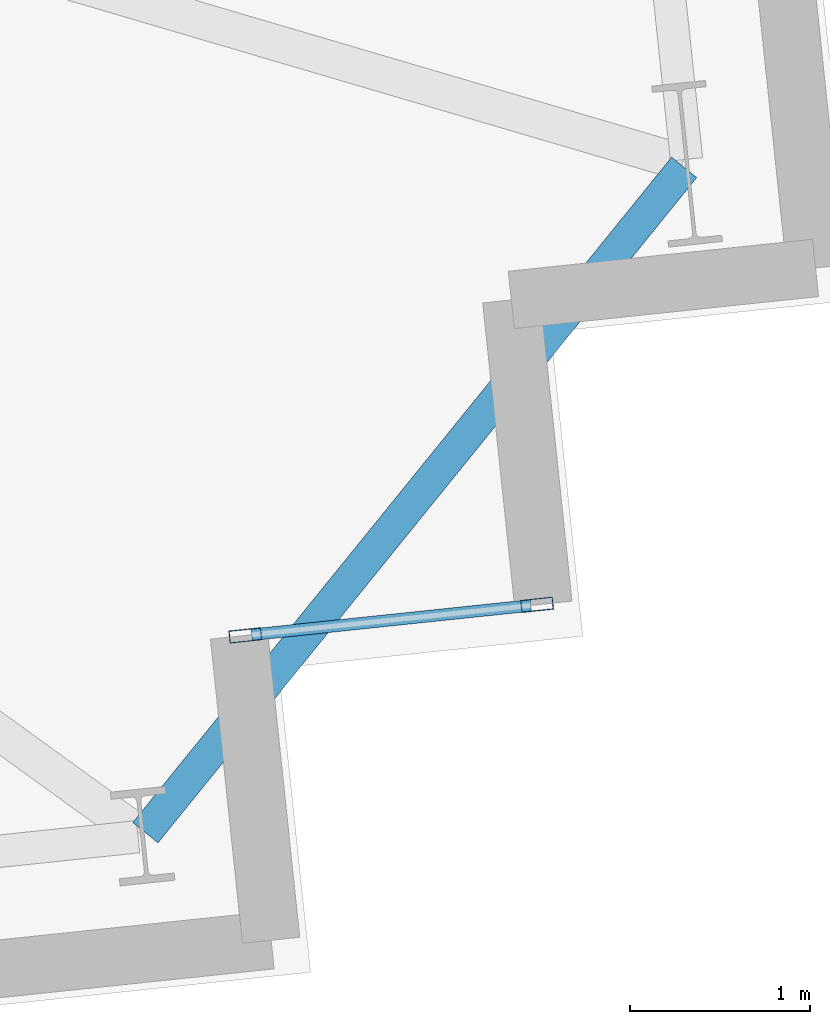
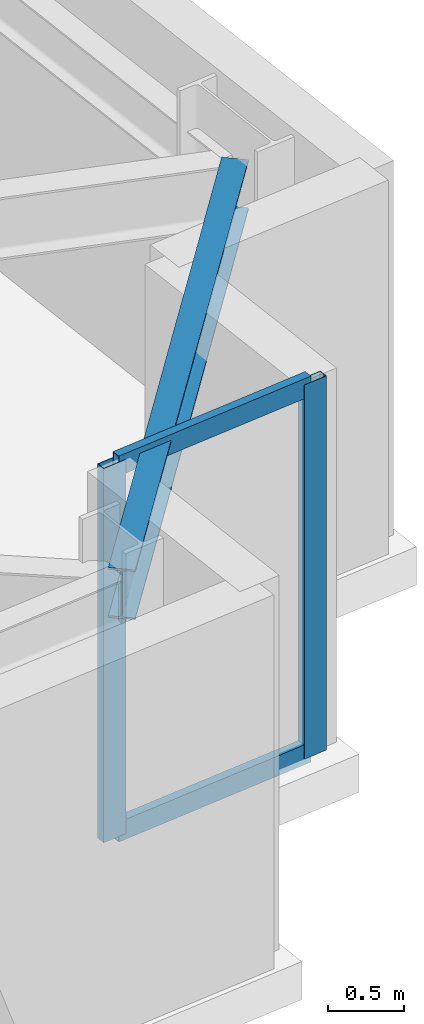
# One storey, part 6 of 19: 4 members, 1 beam, 1 element without a shape of its own.
"""IFC4 building model written with IfcOpenShell, lengths in metres."""

import ifcopenshell
import ifcopenshell.guid

model = None  # the IFC model being written
_history = None  # IfcOwnerHistory: only IFC2X3 demands one
_inside = {}  # id of a spatial element -> (the spatial element, [elements in it])
_under = {}  # id of a project, library or spatial element -> (it, [spatial elements below it])
_declared = {}  # id of a project -> (the project, [libraries it declares])
_typed = {}  # id of a type object -> (the type object, [elements of that type])
_made_of = {}  # id of a material, layer set ... -> (it, [elements and type objects made of it])


def new_model(schema):
    """Start an empty IFC model of exactly this schema.

    Asked for "IFC4X3", IfcOpenShell would pick the latest addendum, in which some entities
    have other attributes; the version numbers below select the first issue.
    IFC2X3 requires an IfcOwnerHistory on every rooted entity: one is made here for all.
    """
    global model, _history
    if schema == "IFC4X3":
        model = ifcopenshell.file(schema_version=(4, 3, 0, 0))
    else:
        model = ifcopenshell.file(schema=schema)
    _inside.clear()
    _under.clear()
    _declared.clear()
    _typed.clear()
    _made_of.clear()
    _history = None
    if model.schema == "IFC2X3":
        org = make("IfcOrganization", Name="unknown")
        user = make(
            "IfcPersonAndOrganization",
            ThePerson=make("IfcPerson", FamilyName="unknown"),
            TheOrganization=org,
        )
        app = make(
            "IfcApplication",
            ApplicationDeveloper=org,
            Version="unknown",
            ApplicationFullName="unknown",
            ApplicationIdentifier="unknown",
        )
        _history = make(
            "IfcOwnerHistory",
            OwningUser=user,
            OwningApplication=app,
            ChangeAction="ADDED",
            CreationDate=0,
        )
    return model


def make(cls, **values):
    """One entity of the class cls with the attributes given. An attribute that is None is left unset."""
    return model.create_entity(
        cls, **{name: value for name, value in values.items() if value is not None}
    )


def rooted(cls, **values):
    """An entity with a GlobalId (a new one), such as an element, a storey or a relation."""
    return make(cls, GlobalId=ifcopenshell.guid.new(), OwnerHistory=_history, **values)


def si_unit(unit_type, name, prefix=None):
    """IfcSIUnit, for example si_unit("LENGTHUNIT", "METRE", prefix="MILLI")."""
    return make("IfcSIUnit", UnitType=unit_type, Prefix=prefix, Name=name)


def assignment(units):
    """IfcUnitAssignment: the units of a project."""
    return None if units is None else make("IfcUnitAssignment", Units=units)


def point(xyz):
    """IfcCartesianPoint."""
    return None if xyz is None else make("IfcCartesianPoint", Coordinates=xyz)


def direction(xyz):
    """IfcDirection."""
    return None if xyz is None else make("IfcDirection", DirectionRatios=xyz)


def frame(location, z_axis=None, x_axis=None):
    """IfcAxis2Placement3D, a coordinate frame: its origin and axes. An axis left out is left unset."""
    return make(
        "IfcAxis2Placement3D",
        Location=point(location),
        Axis=direction(z_axis),
        RefDirection=direction(x_axis),
    )


def frame_2d(location, x_axis=None):
    """IfcAxis2Placement2D, a coordinate frame in the plane: its origin and x axis."""
    return make(
        "IfcAxis2Placement2D", Location=point(location), RefDirection=direction(x_axis)
    )


def origin():
    """The frame at (0, 0, 0) with its axes left unset."""
    return frame((0.0, 0.0, 0.0))


def origin_2d():
    """The frame at (0, 0) in the plane with its x axis left unset."""
    return frame_2d((0.0, 0.0))


def place(relative_to, where):
    """IfcLocalPlacement: puts the frame where relative to a parent placement (None: the world)."""
    return make(
        "IfcLocalPlacement", PlacementRelTo=relative_to, RelativePlacement=where
    )


def context(
    kind, dimensions, precision=None, world=None, true_north=None, identifier=None
):
    """IfcGeometricRepresentationContext, for example the 3D "Model" context."""
    return make(
        "IfcGeometricRepresentationContext",
        ContextIdentifier=identifier,
        ContextType=kind,
        CoordinateSpaceDimension=dimensions,
        Precision=precision,
        WorldCoordinateSystem=world,
        TrueNorth=true_north,
    )


def subcontext(parent, identifier, kind, view, scale=None):
    """IfcGeometricRepresentationSubContext, for example "Body" below "Model"."""
    return make(
        "IfcGeometricRepresentationSubContext",
        ContextIdentifier=identifier,
        ContextType=kind,
        ParentContext=parent,
        TargetScale=scale,
        TargetView=view,
    )


def project(units=None, contexts=None):
    """IfcProject with its units and contexts."""
    return rooted(
        "IfcProject",
        Name="project",
        RepresentationContexts=contexts,
        UnitsInContext=assignment(units),
    )


def spatial(cls, under=None, at=None, **own):
    """A site, building, storey or space (cls), placed at a placement, below another one or the project."""
    s = rooted(cls, ObjectPlacement=at, **own)
    if under is not None:
        _under.setdefault(under.id(), (under, []))[1].append(s)
    return s


def profile(cls, at=None, kind="AREA", **sizes):
    """A parametric profile (cls). Its sizes go by their IFC names, for example OverallWidth=200.0."""
    return make(cls, ProfileType=kind, Position=at, **sizes)


def hollow_rectangle(**sizes):
    """IfcRectangleHollowProfileDef."""
    return profile("IfcRectangleHollowProfileDef", **sizes)


def i_section(**sizes):
    """IfcIShapeProfileDef."""
    return profile("IfcIShapeProfileDef", **sizes)


def extrude(swept, where, along, depth):
    """IfcExtrudedAreaSolid: the profile swept, set in the frame where, extruded along a direction by depth."""
    return make(
        "IfcExtrudedAreaSolid",
        SweptArea=swept,
        Position=where,
        ExtrudedDirection=direction(along),
        Depth=depth,
    )


def shape(context_of_items, identifier, shape_type, items):
    """IfcShapeRepresentation: the items that make up one representation, for example the "Body"."""
    return make(
        "IfcShapeRepresentation",
        ContextOfItems=context_of_items,
        RepresentationIdentifier=identifier,
        RepresentationType=shape_type,
        Items=items,
    )


def material(Name=None, Category=None):
    """IfcMaterial."""
    return make("IfcMaterial", Name=Name, Category=Category)


def layer(
    of_material, thickness, ventilated=None, Name=None, Category=None, Priority=None
):
    """IfcMaterialLayer: one layer of a wall or slab, of a material (None: an air gap)."""
    return make(
        "IfcMaterialLayer",
        Material=of_material,
        LayerThickness=thickness,
        IsVentilated=ventilated,
        Name=Name,
        Category=Category,
        Priority=Priority,
    )


def layer_set(layers, Name=None):
    """IfcMaterialLayerSet."""
    return make("IfcMaterialLayerSet", MaterialLayers=layers, LayerSetName=Name)


def material_profile(
    of_material, cross_section, Name=None, Category=None, Priority=None
):
    """IfcMaterialProfile: a cross section and its material."""
    return make(
        "IfcMaterialProfile",
        Name=Name,
        Material=of_material,
        Profile=cross_section,
        Priority=Priority,
        Category=Category,
    )


def profile_set(profiles, Name=None, composite=None):
    """IfcMaterialProfileSet."""
    return make(
        "IfcMaterialProfileSet",
        Name=Name,
        MaterialProfiles=profiles,
        CompositeProfile=composite,
    )


def made_of(thing, what):
    """Note that an element or type object is made of a material, layer set ...; save() writes the relation."""
    if what is not None:
        _made_of.setdefault(what.id(), (what, []))[1].append(thing)
    return thing


def type_object(cls, material=None, **own):
    """A type object (cls), such as IfcWallType, which elements share."""
    return made_of(rooted(cls, **own), material)


def element(
    cls,
    number,
    at=None,
    inside=None,
    cuts=None,
    type_object=None,
    material=None,
    context=None,
    identifier="Body",
    shape_type=None,
    held_by="IfcProductDefinitionShape",
    body=None,
    shapes=None,
    **own,
):
    """One element of the class cls, such as IfcWall. Its Tag is "e" and its number.

    at: its placement. inside: the storey or other place that contains it. cuts: it is an
    opening in that element (IfcRelVoidsElement). A single representation is given by context,
    identifier, shape_type and body (its items); several are given by shapes. held_by: the class
    of the entity that holds the representations. save() writes the other relations.
    """
    e = rooted(cls, Tag="e%d" % number, ObjectPlacement=at, **own)
    if body is not None:
        shapes = [shape(context, identifier, shape_type, body)]
    if shapes is not None:
        e.Representation = make(held_by, Representations=shapes)
    if inside is not None:
        _inside.setdefault(inside.id(), (inside, []))[1].append(e)
    if cuts is not None:
        rooted(
            "IfcRelVoidsElement", RelatingBuildingElement=cuts, RelatedOpeningElement=e
        )
    if type_object is not None:
        _typed.setdefault(type_object.id(), (type_object, []))[1].append(e)
    return made_of(e, material)


def aggregate(whole, parts):
    """IfcRelAggregates: a whole, such as a stair, and the parts it consists of."""
    return rooted("IfcRelAggregates", RelatingObject=whole, RelatedObjects=parts)


def save(model, path):
    """Write the relations noted so far, then the file.

    IfcRelAggregates (storeys below a building ...), IfcRelContainedInSpatialStructure (elements
    in a storey), IfcRelDefinesByType, IfcRelAssociatesMaterial and IfcRelDeclares: one each for
    every whole, place, type object, material and project.
    """
    for whole, parts in _under.values():
        aggregate(whole, parts)
    for where, things in _inside.values():
        rooted(
            "IfcRelContainedInSpatialStructure",
            RelatedElements=things,
            RelatingStructure=where,
        )
    for kind, things in _typed.values():
        rooted("IfcRelDefinesByType", RelatedObjects=things, RelatingType=kind)
    for what, things in _made_of.values():
        rooted("IfcRelAssociatesMaterial", RelatedObjects=things, RelatingMaterial=what)
    for by, libraries in _declared.values():
        rooted("IfcRelDeclares", RelatingContext=by, RelatedDefinitions=libraries)
    model.write(path)


model = new_model("IFC4")

# Units and contexts
model_context = context("Model", 3, precision=1e-05, world=origin(), true_north=direction((0.0, 1.0)))
body_context = subcontext(model_context, "Body", "Model", "MODEL_VIEW")
ifc_project = project(units=[si_unit("LENGTHUNIT", "METRE"), si_unit("AREAUNIT", "SQUARE_METRE"), si_unit("VOLUMEUNIT", "CUBIC_METRE"), si_unit("PLANEANGLEUNIT", "RADIAN"), si_unit("MASSUNIT", "GRAM", prefix="KILO")], contexts=[model_context])

# Site, building, storey
site_placement = place(None, origin())
site = spatial("IfcSite", under=ifc_project, at=site_placement, CompositionType="ELEMENT")
building_placement = place(site_placement, origin())
building = spatial("IfcBuilding", under=site, at=building_placement, Name="Qobustan Lattice House", CompositionType="ELEMENT")
storey_placement = place(building_placement, frame((0.0, 0.0, 122.550048828125)))
storey = spatial("IfcBuildingStorey", under=building, at=storey_placement, Name="L34", CompositionType="ELEMENT", Elevation=122.550048828125)

# Beam
ifc_material_1 = material(Name="Steel S355", Category="steel")
ifc_material_profile_1 = material_profile(ifc_material_1, i_section(OverallWidth=0.179931640625, OverallDepth=0.39990234375, WebThickness=0.008544921875, FlangeThickness=0.013427734375, FilletRadius=0.02099609375, at=origin_2d()), Name="IPE400")
ifc_profile_set_1 = profile_set([ifc_material_profile_1], Name="Steel S355")
beam_type = type_object("IfcBeamType", Name="BM-SPD-IPE400", PredefinedType="SPANDREL", material=ifc_profile_set_1)
beam_placement = place(storey_placement, frame((29.608642578125, -13.3876953125, 2.800048828125), z_axis=(0.629351720588, 0.777120590252, 0.0), x_axis=(-0.777120590252, 0.629351720588, 0.0)))
element("IfcBeam", 1, at=beam_placement, inside=storey, type_object=beam_type, Name="L34 perimeter spandrel S7-E1", PredefinedType="SPANDREL", context=body_context, shape_type="SweptSolid", body=[
    extrude(i_section(OverallWidth=0.179931640625, OverallDepth=0.39990234375, WebThickness=0.008544921875, FlangeThickness=0.013427734375, FilletRadius=0.02099609375, at=origin_2d()), origin(), (0.0, 0.0, 1.0), 4.75830078125),
])

# Curtain wall, members
ifc_material_2 = material(Name="Anodised aluminium and low-E glazing", Category="aluminium")
ifc_layer = layer(ifc_material_2, 0.219970703125)
ifc_layer_set = layer_set([ifc_layer], Name="Anodised aluminium and low-E glazing")
curtain_wall_type = type_object("IfcCurtainWallType", Name="CW-FAC-01", PredefinedType="USERDEFINED", material=ifc_layer_set)
curtain_wall_placement = place(storey_placement, origin())
curtain_wall = element("IfcCurtainWall", 2, at=curtain_wall_placement, inside=storey, type_object=curtain_wall_type, Name="L34 serrated corner faceted glazing 18", ObjectType="CURTAIN WALL", PredefinedType="USERDEFINED")
ifc_material_3 = material(Name="Anodised aluminium EN AW-6063 T6", Category="aluminium")
ifc_material_profile_2 = material_profile(ifc_material_3, hollow_rectangle(XDim=0.070068359375, YDim=0.179931640625, WallThickness=0.00439453125, at=origin_2d()), Name="CWM-180x70")
ifc_profile_set_2 = profile_set([ifc_material_profile_2], Name="Anodised aluminium EN AW-6063 T6")
member_type_1 = type_object("IfcMemberType", Name="CWM-STD-180", PredefinedType="MULLION", material=ifc_profile_set_2)
member_1_placement = place(storey_placement, frame((31.785400390625, -12.12109375, 0.0), z_axis=(0.0, 0.0, 1.0), x_axis=(0.104528620025, -0.994521878892, 0.0)))
member_1 = element("IfcMember", 3, at=member_1_placement, type_object=member_type_1, Name="CW-F1 mullion 1", PredefinedType="MULLION", context=body_context, shape_type="SweptSolid", body=[
    extrude(hollow_rectangle(XDim=0.070068359375, YDim=0.179931640625, WallThickness=0.00439453125, at=origin_2d()), origin(), (0.0, 0.0, 1.0), 3.0),
])
member_2_placement = place(storey_placement, frame((30.164306640625, -12.29150390625, 0.0), z_axis=(0.0, 0.0, 1.0), x_axis=(0.104528620025, -0.994521878892, 0.0)))
member_2 = element("IfcMember", 4, at=member_2_placement, type_object=member_type_1, Name="CW-F1 mullion 2", PredefinedType="MULLION", context=body_context, shape_type="SweptSolid", body=[
    extrude(hollow_rectangle(XDim=0.070068359375, YDim=0.179931640625, WallThickness=0.00439453125, at=origin_2d()), origin(), (0.0, 0.0, 1.0), 3.0),
])
ifc_material_4 = material(Name="Anodised aluminium EN AW-6063 T6", Category="aluminium")
ifc_material_profile_3 = material_profile(ifc_material_4, hollow_rectangle(XDim=0.06494140625, YDim=0.159912109375, WallThickness=0.00390625, at=origin_2d()), Name="CWT-160x65")
ifc_profile_set_3 = profile_set([ifc_material_profile_3], Name="Anodised aluminium EN AW-6063 T6")
member_type_2 = type_object("IfcMemberType", Name="CWT-HOR-160", PredefinedType="USERDEFINED", material=ifc_profile_set_3)
member_3_placement = place(storey_placement, frame((31.750732421875, -12.124755859375, 0.032470703125), z_axis=(-0.994520877159, -0.104538150424, 0.0), x_axis=(0.104538150424, -0.994520877159, 0.0)))
member_3 = element("IfcMember", 5, at=member_3_placement, type_object=member_type_2, Name="CW-F1 transom 1.1", ObjectType="TRANSOM", PredefinedType="USERDEFINED", context=body_context, shape_type="SweptSolid", body=[
    extrude(hollow_rectangle(XDim=0.06494140625, YDim=0.159912109375, WallThickness=0.00390625, at=origin_2d()), origin(), (0.0, 0.0, 1.0), 1.56005859375),
])
member_4_placement = place(storey_placement, frame((31.750732421875, -12.124755859375, 2.967529296875), z_axis=(-0.994520877159, -0.104538150424, 0.0), x_axis=(0.104538150424, -0.994520877159, 0.0)))
member_4 = element("IfcMember", 6, at=member_4_placement, type_object=member_type_2, Name="CW-F1 transom 1.2", ObjectType="TRANSOM", PredefinedType="USERDEFINED", context=body_context, shape_type="SweptSolid", body=[
    extrude(hollow_rectangle(XDim=0.06494140625, YDim=0.159912109375, WallThickness=0.00390625, at=origin_2d()), origin(), (0.0, 0.0, 1.0), 1.56005859375),
])
aggregate(curtain_wall, [member_1, member_2, member_3, member_4])

save(model, "model.ifc")
